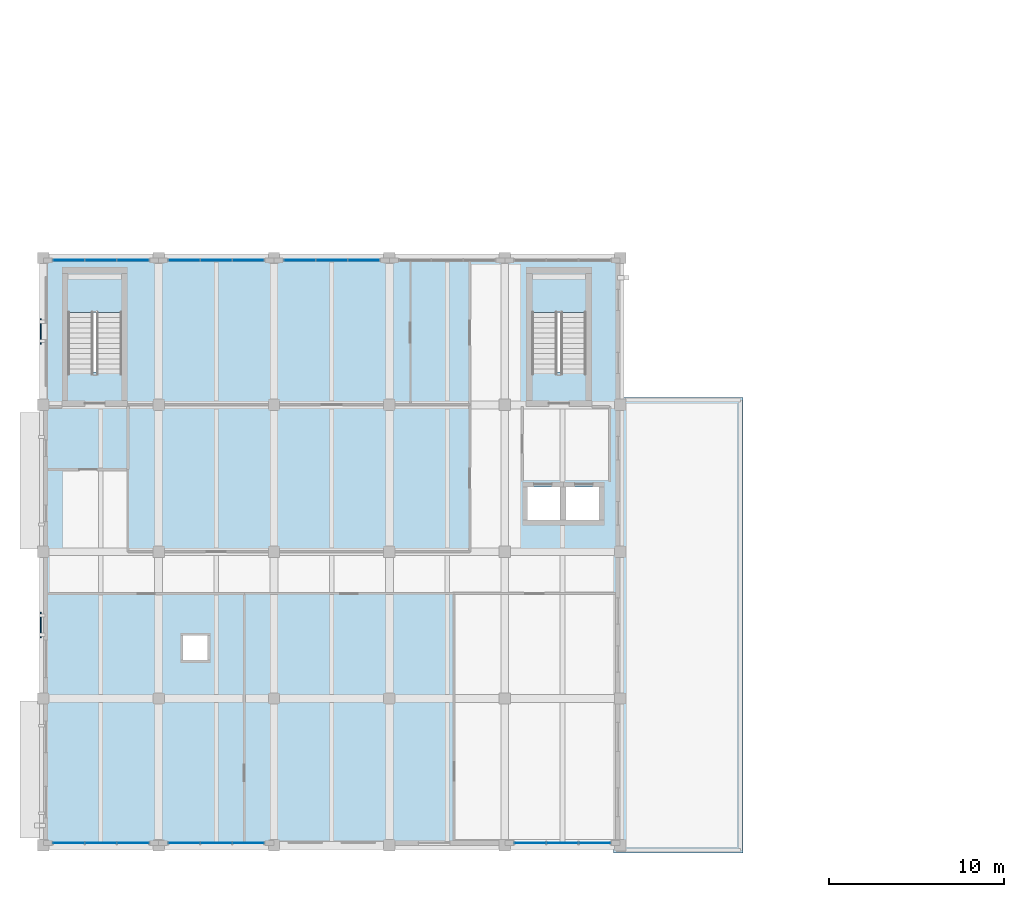
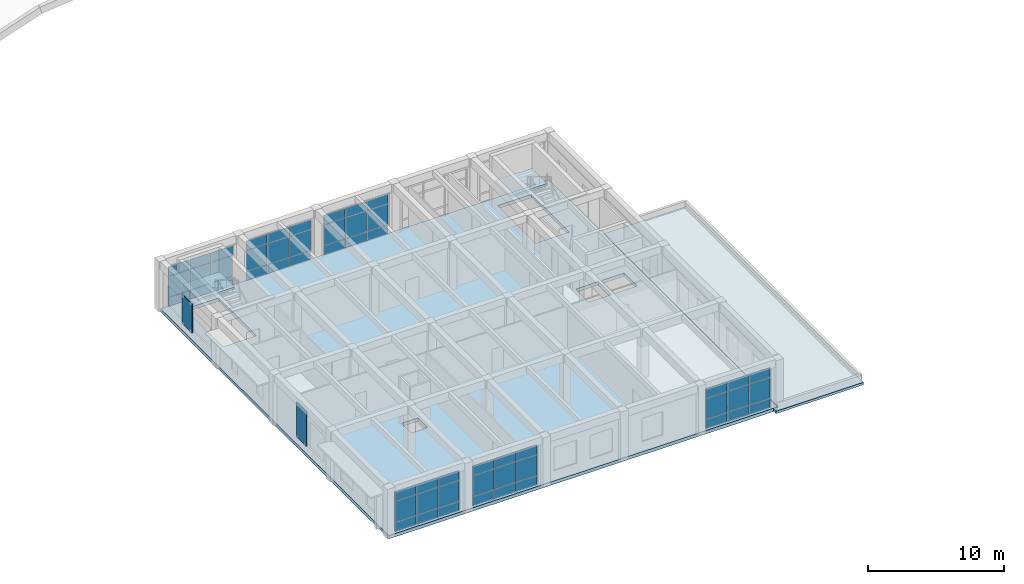
# One storey, part 19 of 50: 56 plates, 4 slabs, 8 elements without a shape of their own.
"""IFC4 building model written with IfcOpenShell, lengths in metres."""

from ifc_helpers import new_model, si_unit, direction, frame, origin, origin_2d, place, context, subcontext, project, spatial, polyline, rectangle, outline, extrude, material, layer, layer_set, type_object, element, aggregate, save


model = new_model("IFC4")

# Units and contexts
model_context = context("Model", 3, precision=1e-05, world=origin(), true_north=direction((0.0, 1.0)))
body_context = subcontext(model_context, "Body", "Model", "MODEL_VIEW")
ifc_project = project(units=[si_unit("LENGTHUNIT", "METRE"), si_unit("AREAUNIT", "SQUARE_METRE"), si_unit("VOLUMEUNIT", "CUBIC_METRE"), si_unit("PLANEANGLEUNIT", "RADIAN"), si_unit("MASSUNIT", "GRAM", prefix="KILO")], contexts=[model_context])

# Site, building, storey
site_placement = place(None, origin())
site = spatial("IfcSite", under=ifc_project, at=site_placement, CompositionType="ELEMENT")
building_placement = place(site_placement, origin())
building = spatial("IfcBuilding", under=site, at=building_placement, Name="Kolvaren Faculty of Natural Sciences", CompositionType="ELEMENT")
storey_placement = place(building_placement, frame((0.0, 0.0, 15.0)))
storey = spatial("IfcBuildingStorey", under=building, at=storey_placement, Name="L03", CompositionType="ELEMENT", Elevation=15.0)

# Curtain wall, plates
ifc_material_1 = material(Name="Thermally broken anodised aluminium framing", Category="aluminium")
ifc_layer_1 = layer(ifc_material_1, 0.179931640625)
ifc_layer_set_1 = layer_set([ifc_layer_1], Name="Thermally broken anodised aluminium framing")
curtain_wall_type = type_object("IfcCurtainWallType", Name="CommonsCurtainWall_CW02", PredefinedType="NOTDEFINED", material=ifc_layer_set_1)
curtain_wall_1_placement = place(storey_placement, origin())
curtain_wall_1 = element("IfcCurtainWall", 1, at=curtain_wall_1_placement, inside=storey, type_object=curtain_wall_type, Name="L03 unitised curtain wall CW-02 (CW-L03-133)", PredefinedType="NOTDEFINED")
ifc_material_2 = material(Name="Double low-E solar control insulated glazing", Category="glass")
ifc_layer_2 = layer(ifc_material_2, 0.035888671875)
ifc_layer_set_2 = layer_set([ifc_layer_2], Name="Double low-E solar control insulated glazing")
plate_type_1 = type_object("IfcPlateType", Name="EnvelopePlate_CWPGL1", PredefinedType="CURTAIN_PANEL", material=ifc_layer_set_2)
plate_1_placement = place(storey_placement, frame((8.2666015625, 42.06005859375, 0.919921875), z_axis=(0.0, 0.0, 1.0), x_axis=(1.0, 0.0, 0.0)))
plate_1 = element("IfcPlate", 2, at=plate_1_placement, type_object=plate_type_1, Name="CW-L03-133 panel 1 V1", PredefinedType="CURTAIN_PANEL", context=body_context, shape_type="SweptSolid", body=[
    extrude(rectangle(XDim=1.783203125, YDim=0.035888671875, at=origin_2d()), origin(), (0.0, 0.0, 1.0), 1.844970703125),
])
plate_2_placement = place(storey_placement, frame((10.10009765625, 42.06005859375, 0.919921875), z_axis=(0.0, 0.0, 1.0), x_axis=(1.0, 0.0, 0.0)))
plate_2 = element("IfcPlate", 3, at=plate_2_placement, type_object=plate_type_1, Name="CW-L03-133 panel 2 V1", PredefinedType="CURTAIN_PANEL", context=body_context, shape_type="SweptSolid", body=[
    extrude(rectangle(XDim=1.783203125, YDim=0.035888671875, at=origin_2d()), origin(), (0.0, 0.0, 1.0), 1.844970703125),
])
plate_3_placement = place(storey_placement, frame((11.933349609375, 42.06005859375, 0.919921875), z_axis=(0.0, 0.0, 1.0), x_axis=(1.0, 0.0, 0.0)))
plate_3 = element("IfcPlate", 4, at=plate_3_placement, type_object=plate_type_1, Name="CW-L03-133 panel 3 V1", PredefinedType="CURTAIN_PANEL", context=body_context, shape_type="SweptSolid", body=[
    extrude(rectangle(XDim=1.783203125, YDim=0.035888671875, at=origin_2d()), origin(), (0.0, 0.0, 1.0), 1.844970703125),
])

curtain_wall_2_placement = place(storey_placement, origin())
curtain_wall_2 = element("IfcCurtainWall", 5, at=curtain_wall_2_placement, inside=storey, type_object=curtain_wall_type, Name="L03 unitised curtain wall CW-02 (CW-L03-134)", PredefinedType="NOTDEFINED")
plate_4_placement = place(storey_placement, frame((14.86669921875, 42.06005859375, 0.919921875), z_axis=(0.0, 0.0, 1.0), x_axis=(1.0, 0.0, 0.0)))
plate_4 = element("IfcPlate", 6, at=plate_4_placement, type_object=plate_type_1, Name="CW-L03-134 panel 1 V1", PredefinedType="CURTAIN_PANEL", context=body_context, shape_type="SweptSolid", body=[
    extrude(rectangle(XDim=1.783203125, YDim=0.035888671875, at=origin_2d()), origin(), (0.0, 0.0, 1.0), 1.844970703125),
])
plate_5_placement = place(storey_placement, frame((16.699951171875, 42.06005859375, 0.919921875), z_axis=(0.0, 0.0, 1.0), x_axis=(1.0, 0.0, 0.0)))
plate_5 = element("IfcPlate", 7, at=plate_5_placement, type_object=plate_type_1, Name="CW-L03-134 panel 2 V1", PredefinedType="CURTAIN_PANEL", context=body_context, shape_type="SweptSolid", body=[
    extrude(rectangle(XDim=1.783203125, YDim=0.035888671875, at=origin_2d()), origin(), (0.0, 0.0, 1.0), 1.844970703125),
])
plate_6_placement = place(storey_placement, frame((18.533203125, 42.06005859375, 0.919921875), z_axis=(0.0, 0.0, 1.0), x_axis=(1.0, 0.0, 0.0)))
plate_6 = element("IfcPlate", 8, at=plate_6_placement, type_object=plate_type_1, Name="CW-L03-134 panel 3 V1", PredefinedType="CURTAIN_PANEL", context=body_context, shape_type="SweptSolid", body=[
    extrude(rectangle(XDim=1.783203125, YDim=0.035888671875, at=origin_2d()), origin(), (0.0, 0.0, 1.0), 1.844970703125),
])

curtain_wall_3_placement = place(storey_placement, origin())
curtain_wall_3 = element("IfcCurtainWall", 9, at=curtain_wall_3_placement, inside=storey, type_object=curtain_wall_type, Name="L03 unitised curtain wall CW-02 (CW-L03-135)", PredefinedType="NOTDEFINED")
plate_7_placement = place(storey_placement, frame((21.466796875, 42.06005859375, 0.919921875), z_axis=(0.0, 0.0, 1.0), x_axis=(1.0, 0.0, 0.0)))
plate_7 = element("IfcPlate", 10, at=plate_7_placement, type_object=plate_type_1, Name="CW-L03-135 panel 1 V1", PredefinedType="CURTAIN_PANEL", context=body_context, shape_type="SweptSolid", body=[
    extrude(rectangle(XDim=1.783203125, YDim=0.035888671875, at=origin_2d()), origin(), (0.0, 0.0, 1.0), 1.844970703125),
])
plate_8_placement = place(storey_placement, frame((23.300048828125, 42.06005859375, 0.919921875), z_axis=(0.0, 0.0, 1.0), x_axis=(1.0, 0.0, 0.0)))
plate_8 = element("IfcPlate", 11, at=plate_8_placement, type_object=plate_type_1, Name="CW-L03-135 panel 2 V1", PredefinedType="CURTAIN_PANEL", context=body_context, shape_type="SweptSolid", body=[
    extrude(rectangle(XDim=1.783203125, YDim=0.035888671875, at=origin_2d()), origin(), (0.0, 0.0, 1.0), 1.844970703125),
])
plate_9_placement = place(storey_placement, frame((25.13330078125, 42.06005859375, 0.919921875), z_axis=(0.0, 0.0, 1.0), x_axis=(1.0, 0.0, 0.0)))
plate_9 = element("IfcPlate", 12, at=plate_9_placement, type_object=plate_type_1, Name="CW-L03-135 panel 3 V1", PredefinedType="CURTAIN_PANEL", context=body_context, shape_type="SweptSolid", body=[
    extrude(rectangle(XDim=1.783203125, YDim=0.035888671875, at=origin_2d()), origin(), (0.0, 0.0, 1.0), 1.844970703125),
])

curtain_wall_4_placement = place(storey_placement, origin())
curtain_wall_4 = element("IfcCurtainWall", 13, at=curtain_wall_4_placement, inside=storey, type_object=curtain_wall_type, Name="L03 unitised curtain wall CW-02 (CW-L03-138)", PredefinedType="NOTDEFINED")
plate_10_placement = place(storey_placement, frame((38.333251953125, 8.739990234375, 0.919921875), z_axis=(0.0, 0.0, 1.0), x_axis=(-1.0, 0.0, 0.0)))
plate_10 = element("IfcPlate", 14, at=plate_10_placement, type_object=plate_type_1, Name="CW-L03-138 panel 1 V1", PredefinedType="CURTAIN_PANEL", context=body_context, shape_type="SweptSolid", body=[
    extrude(rectangle(XDim=1.783203125, YDim=0.035888671875, at=origin_2d()), origin(), (0.0, 0.0, 1.0), 1.844970703125),
])
plate_11_placement = place(storey_placement, frame((36.5, 8.739990234375, 0.919921875), z_axis=(0.0, 0.0, 1.0), x_axis=(-1.0, 0.0, 0.0)))
plate_11 = element("IfcPlate", 15, at=plate_11_placement, type_object=plate_type_1, Name="CW-L03-138 panel 2 V1", PredefinedType="CURTAIN_PANEL", context=body_context, shape_type="SweptSolid", body=[
    extrude(rectangle(XDim=1.783203125, YDim=0.035888671875, at=origin_2d()), origin(), (0.0, 0.0, 1.0), 1.844970703125),
])
plate_12_placement = place(storey_placement, frame((34.666748046875, 8.739990234375, 0.919921875), z_axis=(0.0, 0.0, 1.0), x_axis=(-1.0, 0.0, 0.0)))
plate_12 = element("IfcPlate", 16, at=plate_12_placement, type_object=plate_type_1, Name="CW-L03-138 panel 3 V1", PredefinedType="CURTAIN_PANEL", context=body_context, shape_type="SweptSolid", body=[
    extrude(rectangle(XDim=1.783203125, YDim=0.035888671875, at=origin_2d()), origin(), (0.0, 0.0, 1.0), 1.844970703125),
])

curtain_wall_5_placement = place(storey_placement, origin())
curtain_wall_5 = element("IfcCurtainWall", 17, at=curtain_wall_5_placement, inside=storey, type_object=curtain_wall_type, Name="L03 unitised curtain wall CW-02 (CW-L03-139)", PredefinedType="NOTDEFINED")
plate_13_placement = place(storey_placement, frame((18.533203125, 8.739990234375, 0.919921875), z_axis=(0.0, 0.0, 1.0), x_axis=(-1.0, 0.0, 0.0)))
plate_13 = element("IfcPlate", 18, at=plate_13_placement, type_object=plate_type_1, Name="CW-L03-139 panel 1 V1", PredefinedType="CURTAIN_PANEL", context=body_context, shape_type="SweptSolid", body=[
    extrude(rectangle(XDim=1.783203125, YDim=0.035888671875, at=origin_2d()), origin(), (0.0, 0.0, 1.0), 1.844970703125),
])
plate_14_placement = place(storey_placement, frame((16.699951171875, 8.739990234375, 0.919921875), z_axis=(0.0, 0.0, 1.0), x_axis=(-1.0, 0.0, 0.0)))
plate_14 = element("IfcPlate", 19, at=plate_14_placement, type_object=plate_type_1, Name="CW-L03-139 panel 2 V1", PredefinedType="CURTAIN_PANEL", context=body_context, shape_type="SweptSolid", body=[
    extrude(rectangle(XDim=1.783203125, YDim=0.035888671875, at=origin_2d()), origin(), (0.0, 0.0, 1.0), 1.844970703125),
])
plate_15_placement = place(storey_placement, frame((14.86669921875, 8.739990234375, 0.919921875), z_axis=(0.0, 0.0, 1.0), x_axis=(-1.0, 0.0, 0.0)))
plate_15 = element("IfcPlate", 20, at=plate_15_placement, type_object=plate_type_1, Name="CW-L03-139 panel 3 V1", PredefinedType="CURTAIN_PANEL", context=body_context, shape_type="SweptSolid", body=[
    extrude(rectangle(XDim=1.783203125, YDim=0.035888671875, at=origin_2d()), origin(), (0.0, 0.0, 1.0), 1.844970703125),
])

curtain_wall_6_placement = place(storey_placement, origin())
curtain_wall_6 = element("IfcCurtainWall", 21, at=curtain_wall_6_placement, inside=storey, type_object=curtain_wall_type, Name="L03 unitised curtain wall CW-02 (CW-L03-140)", PredefinedType="NOTDEFINED")
plate_16_placement = place(storey_placement, frame((11.933349609375, 8.739990234375, 0.919921875), z_axis=(0.0, 0.0, 1.0), x_axis=(-1.0, 0.0, 0.0)))
plate_16 = element("IfcPlate", 22, at=plate_16_placement, type_object=plate_type_1, Name="CW-L03-140 panel 1 V1", PredefinedType="CURTAIN_PANEL", context=body_context, shape_type="SweptSolid", body=[
    extrude(rectangle(XDim=1.783203125, YDim=0.035888671875, at=origin_2d()), origin(), (0.0, 0.0, 1.0), 1.844970703125),
])
plate_17_placement = place(storey_placement, frame((10.10009765625, 8.739990234375, 0.919921875), z_axis=(0.0, 0.0, 1.0), x_axis=(-1.0, 0.0, 0.0)))
plate_17 = element("IfcPlate", 23, at=plate_17_placement, type_object=plate_type_1, Name="CW-L03-140 panel 2 V1", PredefinedType="CURTAIN_PANEL", context=body_context, shape_type="SweptSolid", body=[
    extrude(rectangle(XDim=1.783203125, YDim=0.035888671875, at=origin_2d()), origin(), (0.0, 0.0, 1.0), 1.844970703125),
])
plate_18_placement = place(storey_placement, frame((8.2666015625, 8.739990234375, 0.919921875), z_axis=(0.0, 0.0, 1.0), x_axis=(-1.0, 0.0, 0.0)))
plate_18 = element("IfcPlate", 24, at=plate_18_placement, type_object=plate_type_1, Name="CW-L03-140 panel 3 V1", PredefinedType="CURTAIN_PANEL", context=body_context, shape_type="SweptSolid", body=[
    extrude(rectangle(XDim=1.783203125, YDim=0.035888671875, at=origin_2d()), origin(), (0.0, 0.0, 1.0), 1.844970703125),
])

# Plate
ifc_layer_3 = layer(ifc_material_2, 0.035888671875)
ifc_layer_set_3 = layer_set([ifc_layer_3], Name="Double low-E solar control insulated glazing")
plate_type_2 = type_object("IfcPlateType", Name="EnvelopePlate_CWPGL2", PredefinedType="CURTAIN_PANEL", material=ifc_layer_set_3)
plate_19_placement = place(storey_placement, frame((8.2666015625, 42.06005859375, 2.804931640625), z_axis=(0.0, 0.0, 1.0), x_axis=(1.0, 0.0, 0.0)))
plate_19 = element("IfcPlate", 25, at=plate_19_placement, type_object=plate_type_2, Name="CW-L03-133 panel 1 V2", PredefinedType="CURTAIN_PANEL", context=body_context, shape_type="SweptSolid", body=[
    extrude(rectangle(XDim=1.783203125, YDim=0.035888671875, at=origin_2d()), origin(), (0.0, 0.0, 1.0), 0.830078125),
])

plate_20_placement = place(storey_placement, frame((10.10009765625, 42.06005859375, 2.804931640625), z_axis=(0.0, 0.0, 1.0), x_axis=(1.0, 0.0, 0.0)))
plate_20 = element("IfcPlate", 26, at=plate_20_placement, type_object=plate_type_2, Name="CW-L03-133 panel 2 V2", PredefinedType="CURTAIN_PANEL", context=body_context, shape_type="SweptSolid", body=[
    extrude(rectangle(XDim=1.783203125, YDim=0.035888671875, at=origin_2d()), origin(), (0.0, 0.0, 1.0), 0.830078125),
])

plate_21_placement = place(storey_placement, frame((11.933349609375, 42.06005859375, 2.804931640625), z_axis=(0.0, 0.0, 1.0), x_axis=(1.0, 0.0, 0.0)))
plate_21 = element("IfcPlate", 27, at=plate_21_placement, type_object=plate_type_2, Name="CW-L03-133 panel 3 V2", PredefinedType="CURTAIN_PANEL", context=body_context, shape_type="SweptSolid", body=[
    extrude(rectangle(XDim=1.783203125, YDim=0.035888671875, at=origin_2d()), origin(), (0.0, 0.0, 1.0), 0.830078125),
])

plate_22_placement = place(storey_placement, frame((14.86669921875, 42.06005859375, 2.804931640625), z_axis=(0.0, 0.0, 1.0), x_axis=(1.0, 0.0, 0.0)))
plate_22 = element("IfcPlate", 28, at=plate_22_placement, type_object=plate_type_2, Name="CW-L03-134 panel 1 V2", PredefinedType="CURTAIN_PANEL", context=body_context, shape_type="SweptSolid", body=[
    extrude(rectangle(XDim=1.783203125, YDim=0.035888671875, at=origin_2d()), origin(), (0.0, 0.0, 1.0), 0.830078125),
])

plate_23_placement = place(storey_placement, frame((16.699951171875, 42.06005859375, 2.804931640625), z_axis=(0.0, 0.0, 1.0), x_axis=(1.0, 0.0, 0.0)))
plate_23 = element("IfcPlate", 29, at=plate_23_placement, type_object=plate_type_2, Name="CW-L03-134 panel 2 V2", PredefinedType="CURTAIN_PANEL", context=body_context, shape_type="SweptSolid", body=[
    extrude(rectangle(XDim=1.783203125, YDim=0.035888671875, at=origin_2d()), origin(), (0.0, 0.0, 1.0), 0.830078125),
])

plate_24_placement = place(storey_placement, frame((18.533203125, 42.06005859375, 2.804931640625), z_axis=(0.0, 0.0, 1.0), x_axis=(1.0, 0.0, 0.0)))
plate_24 = element("IfcPlate", 30, at=plate_24_placement, type_object=plate_type_2, Name="CW-L03-134 panel 3 V2", PredefinedType="CURTAIN_PANEL", context=body_context, shape_type="SweptSolid", body=[
    extrude(rectangle(XDim=1.783203125, YDim=0.035888671875, at=origin_2d()), origin(), (0.0, 0.0, 1.0), 0.830078125),
])

plate_25_placement = place(storey_placement, frame((21.466796875, 42.06005859375, 2.804931640625), z_axis=(0.0, 0.0, 1.0), x_axis=(1.0, 0.0, 0.0)))
plate_25 = element("IfcPlate", 31, at=plate_25_placement, type_object=plate_type_2, Name="CW-L03-135 panel 1 V2", PredefinedType="CURTAIN_PANEL", context=body_context, shape_type="SweptSolid", body=[
    extrude(rectangle(XDim=1.783203125, YDim=0.035888671875, at=origin_2d()), origin(), (0.0, 0.0, 1.0), 0.830078125),
])

plate_26_placement = place(storey_placement, frame((23.300048828125, 42.06005859375, 2.804931640625), z_axis=(0.0, 0.0, 1.0), x_axis=(1.0, 0.0, 0.0)))
plate_26 = element("IfcPlate", 32, at=plate_26_placement, type_object=plate_type_2, Name="CW-L03-135 panel 2 V2", PredefinedType="CURTAIN_PANEL", context=body_context, shape_type="SweptSolid", body=[
    extrude(rectangle(XDim=1.783203125, YDim=0.035888671875, at=origin_2d()), origin(), (0.0, 0.0, 1.0), 0.830078125),
])

plate_27_placement = place(storey_placement, frame((25.13330078125, 42.06005859375, 2.804931640625), z_axis=(0.0, 0.0, 1.0), x_axis=(1.0, 0.0, 0.0)))
plate_27 = element("IfcPlate", 33, at=plate_27_placement, type_object=plate_type_2, Name="CW-L03-135 panel 3 V2", PredefinedType="CURTAIN_PANEL", context=body_context, shape_type="SweptSolid", body=[
    extrude(rectangle(XDim=1.783203125, YDim=0.035888671875, at=origin_2d()), origin(), (0.0, 0.0, 1.0), 0.830078125),
])

plate_28_placement = place(storey_placement, frame((38.333251953125, 8.739990234375, 2.804931640625), z_axis=(0.0, 0.0, 1.0), x_axis=(-1.0, 0.0, 0.0)))
plate_28 = element("IfcPlate", 34, at=plate_28_placement, type_object=plate_type_2, Name="CW-L03-138 panel 1 V2", PredefinedType="CURTAIN_PANEL", context=body_context, shape_type="SweptSolid", body=[
    extrude(rectangle(XDim=1.783203125, YDim=0.035888671875, at=origin_2d()), origin(), (0.0, 0.0, 1.0), 0.830078125),
])

plate_29_placement = place(storey_placement, frame((36.5, 8.739990234375, 2.804931640625), z_axis=(0.0, 0.0, 1.0), x_axis=(-1.0, 0.0, 0.0)))
plate_29 = element("IfcPlate", 35, at=plate_29_placement, type_object=plate_type_2, Name="CW-L03-138 panel 2 V2", PredefinedType="CURTAIN_PANEL", context=body_context, shape_type="SweptSolid", body=[
    extrude(rectangle(XDim=1.783203125, YDim=0.035888671875, at=origin_2d()), origin(), (0.0, 0.0, 1.0), 0.830078125),
])

plate_30_placement = place(storey_placement, frame((34.666748046875, 8.739990234375, 2.804931640625), z_axis=(0.0, 0.0, 1.0), x_axis=(-1.0, 0.0, 0.0)))
plate_30 = element("IfcPlate", 36, at=plate_30_placement, type_object=plate_type_2, Name="CW-L03-138 panel 3 V2", PredefinedType="CURTAIN_PANEL", context=body_context, shape_type="SweptSolid", body=[
    extrude(rectangle(XDim=1.783203125, YDim=0.035888671875, at=origin_2d()), origin(), (0.0, 0.0, 1.0), 0.830078125),
])

plate_31_placement = place(storey_placement, frame((18.533203125, 8.739990234375, 2.804931640625), z_axis=(0.0, 0.0, 1.0), x_axis=(-1.0, 0.0, 0.0)))
plate_31 = element("IfcPlate", 37, at=plate_31_placement, type_object=plate_type_2, Name="CW-L03-139 panel 1 V2", PredefinedType="CURTAIN_PANEL", context=body_context, shape_type="SweptSolid", body=[
    extrude(rectangle(XDim=1.783203125, YDim=0.035888671875, at=origin_2d()), origin(), (0.0, 0.0, 1.0), 0.830078125),
])

plate_32_placement = place(storey_placement, frame((16.699951171875, 8.739990234375, 2.804931640625), z_axis=(0.0, 0.0, 1.0), x_axis=(-1.0, 0.0, 0.0)))
plate_32 = element("IfcPlate", 38, at=plate_32_placement, type_object=plate_type_2, Name="CW-L03-139 panel 2 V2", PredefinedType="CURTAIN_PANEL", context=body_context, shape_type="SweptSolid", body=[
    extrude(rectangle(XDim=1.783203125, YDim=0.035888671875, at=origin_2d()), origin(), (0.0, 0.0, 1.0), 0.830078125),
])

plate_33_placement = place(storey_placement, frame((14.86669921875, 8.739990234375, 2.804931640625), z_axis=(0.0, 0.0, 1.0), x_axis=(-1.0, 0.0, 0.0)))
plate_33 = element("IfcPlate", 39, at=plate_33_placement, type_object=plate_type_2, Name="CW-L03-139 panel 3 V2", PredefinedType="CURTAIN_PANEL", context=body_context, shape_type="SweptSolid", body=[
    extrude(rectangle(XDim=1.783203125, YDim=0.035888671875, at=origin_2d()), origin(), (0.0, 0.0, 1.0), 0.830078125),
])

plate_34_placement = place(storey_placement, frame((11.933349609375, 8.739990234375, 2.804931640625), z_axis=(0.0, 0.0, 1.0), x_axis=(-1.0, 0.0, 0.0)))
plate_34 = element("IfcPlate", 40, at=plate_34_placement, type_object=plate_type_2, Name="CW-L03-140 panel 1 V2", PredefinedType="CURTAIN_PANEL", context=body_context, shape_type="SweptSolid", body=[
    extrude(rectangle(XDim=1.783203125, YDim=0.035888671875, at=origin_2d()), origin(), (0.0, 0.0, 1.0), 0.830078125),
])

plate_35_placement = place(storey_placement, frame((10.10009765625, 8.739990234375, 2.804931640625), z_axis=(0.0, 0.0, 1.0), x_axis=(-1.0, 0.0, 0.0)))
plate_35 = element("IfcPlate", 41, at=plate_35_placement, type_object=plate_type_2, Name="CW-L03-140 panel 2 V2", PredefinedType="CURTAIN_PANEL", context=body_context, shape_type="SweptSolid", body=[
    extrude(rectangle(XDim=1.783203125, YDim=0.035888671875, at=origin_2d()), origin(), (0.0, 0.0, 1.0), 0.830078125),
])

plate_36_placement = place(storey_placement, frame((8.2666015625, 8.739990234375, 2.804931640625), z_axis=(0.0, 0.0, 1.0), x_axis=(-1.0, 0.0, 0.0)))
plate_36 = element("IfcPlate", 42, at=plate_36_placement, type_object=plate_type_2, Name="CW-L03-140 panel 3 V2", PredefinedType="CURTAIN_PANEL", context=body_context, shape_type="SweptSolid", body=[
    extrude(rectangle(XDim=1.783203125, YDim=0.035888671875, at=origin_2d()), origin(), (0.0, 0.0, 1.0), 0.830078125),
])

ifc_material_3 = material(Name="Insulated anodised aluminium spandrel panel", Category="aluminium")
ifc_layer_4 = layer(ifc_material_3, 0.050048828125)
ifc_layer_set_4 = layer_set([ifc_layer_4], Name="Insulated anodised aluminium spandrel panel")
plate_type_3 = type_object("IfcPlateType", Name="EnvelopePlate_CWPSP1", PredefinedType="SHEET", material=ifc_layer_set_4)
plate_37_placement = place(storey_placement, frame((8.2666015625, 42.06005859375, 0.10009765625), z_axis=(0.0, 0.0, 1.0), x_axis=(1.0, 0.0, 0.0)))
plate_37 = element("IfcPlate", 43, at=plate_37_placement, type_object=plate_type_3, Name="CW-L03-133 panel 1 SP", PredefinedType="SHEET", context=body_context, shape_type="SweptSolid", body=[
    extrude(rectangle(XDim=1.783203125, YDim=0.050048828125, at=origin_2d()), origin(), (0.0, 0.0, 1.0), 0.780029296875),
])

plate_38_placement = place(storey_placement, frame((10.10009765625, 42.06005859375, 0.10009765625), z_axis=(0.0, 0.0, 1.0), x_axis=(1.0, 0.0, 0.0)))
plate_38 = element("IfcPlate", 44, at=plate_38_placement, type_object=plate_type_3, Name="CW-L03-133 panel 2 SP", PredefinedType="SHEET", context=body_context, shape_type="SweptSolid", body=[
    extrude(rectangle(XDim=1.783203125, YDim=0.050048828125, at=origin_2d()), origin(), (0.0, 0.0, 1.0), 0.780029296875),
])

plate_39_placement = place(storey_placement, frame((11.933349609375, 42.06005859375, 0.10009765625), z_axis=(0.0, 0.0, 1.0), x_axis=(1.0, 0.0, 0.0)))
plate_39 = element("IfcPlate", 45, at=plate_39_placement, type_object=plate_type_3, Name="CW-L03-133 panel 3 SP", PredefinedType="SHEET", context=body_context, shape_type="SweptSolid", body=[
    extrude(rectangle(XDim=1.783203125, YDim=0.050048828125, at=origin_2d()), origin(), (0.0, 0.0, 1.0), 0.780029296875),
])

aggregate(curtain_wall_1, [plate_37, plate_1, plate_19, plate_38, plate_2, plate_20, plate_39, plate_3, plate_21])

plate_40_placement = place(storey_placement, frame((14.86669921875, 42.06005859375, 0.10009765625), z_axis=(0.0, 0.0, 1.0), x_axis=(1.0, 0.0, 0.0)))
plate_40 = element("IfcPlate", 46, at=plate_40_placement, type_object=plate_type_3, Name="CW-L03-134 panel 1 SP", PredefinedType="SHEET", context=body_context, shape_type="SweptSolid", body=[
    extrude(rectangle(XDim=1.783203125, YDim=0.050048828125, at=origin_2d()), origin(), (0.0, 0.0, 1.0), 0.780029296875),
])

plate_41_placement = place(storey_placement, frame((16.699951171875, 42.06005859375, 0.10009765625), z_axis=(0.0, 0.0, 1.0), x_axis=(1.0, 0.0, 0.0)))
plate_41 = element("IfcPlate", 47, at=plate_41_placement, type_object=plate_type_3, Name="CW-L03-134 panel 2 SP", PredefinedType="SHEET", context=body_context, shape_type="SweptSolid", body=[
    extrude(rectangle(XDim=1.783203125, YDim=0.050048828125, at=origin_2d()), origin(), (0.0, 0.0, 1.0), 0.780029296875),
])

plate_42_placement = place(storey_placement, frame((18.533203125, 42.06005859375, 0.10009765625), z_axis=(0.0, 0.0, 1.0), x_axis=(1.0, 0.0, 0.0)))
plate_42 = element("IfcPlate", 48, at=plate_42_placement, type_object=plate_type_3, Name="CW-L03-134 panel 3 SP", PredefinedType="SHEET", context=body_context, shape_type="SweptSolid", body=[
    extrude(rectangle(XDim=1.783203125, YDim=0.050048828125, at=origin_2d()), origin(), (0.0, 0.0, 1.0), 0.780029296875),
])

aggregate(curtain_wall_2, [plate_40, plate_4, plate_22, plate_41, plate_5, plate_23, plate_42, plate_6, plate_24])

plate_43_placement = place(storey_placement, frame((21.466796875, 42.06005859375, 0.10009765625), z_axis=(0.0, 0.0, 1.0), x_axis=(1.0, 0.0, 0.0)))
plate_43 = element("IfcPlate", 49, at=plate_43_placement, type_object=plate_type_3, Name="CW-L03-135 panel 1 SP", PredefinedType="SHEET", context=body_context, shape_type="SweptSolid", body=[
    extrude(rectangle(XDim=1.783203125, YDim=0.050048828125, at=origin_2d()), origin(), (0.0, 0.0, 1.0), 0.780029296875),
])

plate_44_placement = place(storey_placement, frame((23.300048828125, 42.06005859375, 0.10009765625), z_axis=(0.0, 0.0, 1.0), x_axis=(1.0, 0.0, 0.0)))
plate_44 = element("IfcPlate", 50, at=plate_44_placement, type_object=plate_type_3, Name="CW-L03-135 panel 2 SP", PredefinedType="SHEET", context=body_context, shape_type="SweptSolid", body=[
    extrude(rectangle(XDim=1.783203125, YDim=0.050048828125, at=origin_2d()), origin(), (0.0, 0.0, 1.0), 0.780029296875),
])

plate_45_placement = place(storey_placement, frame((25.13330078125, 42.06005859375, 0.10009765625), z_axis=(0.0, 0.0, 1.0), x_axis=(1.0, 0.0, 0.0)))
plate_45 = element("IfcPlate", 51, at=plate_45_placement, type_object=plate_type_3, Name="CW-L03-135 panel 3 SP", PredefinedType="SHEET", context=body_context, shape_type="SweptSolid", body=[
    extrude(rectangle(XDim=1.783203125, YDim=0.050048828125, at=origin_2d()), origin(), (0.0, 0.0, 1.0), 0.780029296875),
])

aggregate(curtain_wall_3, [plate_43, plate_7, plate_25, plate_44, plate_8, plate_26, plate_45, plate_9, plate_27])

plate_46_placement = place(storey_placement, frame((38.333251953125, 8.739990234375, 0.10009765625), z_axis=(0.0, 0.0, 1.0), x_axis=(-1.0, 0.0, 0.0)))
plate_46 = element("IfcPlate", 52, at=plate_46_placement, type_object=plate_type_3, Name="CW-L03-138 panel 1 SP", PredefinedType="SHEET", context=body_context, shape_type="SweptSolid", body=[
    extrude(rectangle(XDim=1.783203125, YDim=0.050048828125, at=origin_2d()), origin(), (0.0, 0.0, 1.0), 0.780029296875),
])

plate_47_placement = place(storey_placement, frame((36.5, 8.739990234375, 0.10009765625), z_axis=(0.0, 0.0, 1.0), x_axis=(-1.0, 0.0, 0.0)))
plate_47 = element("IfcPlate", 53, at=plate_47_placement, type_object=plate_type_3, Name="CW-L03-138 panel 2 SP", PredefinedType="SHEET", context=body_context, shape_type="SweptSolid", body=[
    extrude(rectangle(XDim=1.783203125, YDim=0.050048828125, at=origin_2d()), origin(), (0.0, 0.0, 1.0), 0.780029296875),
])

plate_48_placement = place(storey_placement, frame((34.666748046875, 8.739990234375, 0.10009765625), z_axis=(0.0, 0.0, 1.0), x_axis=(-1.0, 0.0, 0.0)))
plate_48 = element("IfcPlate", 54, at=plate_48_placement, type_object=plate_type_3, Name="CW-L03-138 panel 3 SP", PredefinedType="SHEET", context=body_context, shape_type="SweptSolid", body=[
    extrude(rectangle(XDim=1.783203125, YDim=0.050048828125, at=origin_2d()), origin(), (0.0, 0.0, 1.0), 0.780029296875),
])

aggregate(curtain_wall_4, [plate_46, plate_10, plate_28, plate_47, plate_11, plate_29, plate_48, plate_12, plate_30])

plate_49_placement = place(storey_placement, frame((18.533203125, 8.739990234375, 0.10009765625), z_axis=(0.0, 0.0, 1.0), x_axis=(-1.0, 0.0, 0.0)))
plate_49 = element("IfcPlate", 55, at=plate_49_placement, type_object=plate_type_3, Name="CW-L03-139 panel 1 SP", PredefinedType="SHEET", context=body_context, shape_type="SweptSolid", body=[
    extrude(rectangle(XDim=1.783203125, YDim=0.050048828125, at=origin_2d()), origin(), (0.0, 0.0, 1.0), 0.780029296875),
])

plate_50_placement = place(storey_placement, frame((16.699951171875, 8.739990234375, 0.10009765625), z_axis=(0.0, 0.0, 1.0), x_axis=(-1.0, 0.0, 0.0)))
plate_50 = element("IfcPlate", 56, at=plate_50_placement, type_object=plate_type_3, Name="CW-L03-139 panel 2 SP", PredefinedType="SHEET", context=body_context, shape_type="SweptSolid", body=[
    extrude(rectangle(XDim=1.783203125, YDim=0.050048828125, at=origin_2d()), origin(), (0.0, 0.0, 1.0), 0.780029296875),
])

plate_51_placement = place(storey_placement, frame((14.86669921875, 8.739990234375, 0.10009765625), z_axis=(0.0, 0.0, 1.0), x_axis=(-1.0, 0.0, 0.0)))
plate_51 = element("IfcPlate", 57, at=plate_51_placement, type_object=plate_type_3, Name="CW-L03-139 panel 3 SP", PredefinedType="SHEET", context=body_context, shape_type="SweptSolid", body=[
    extrude(rectangle(XDim=1.783203125, YDim=0.050048828125, at=origin_2d()), origin(), (0.0, 0.0, 1.0), 0.780029296875),
])

aggregate(curtain_wall_5, [plate_49, plate_13, plate_31, plate_50, plate_14, plate_32, plate_51, plate_15, plate_33])

plate_52_placement = place(storey_placement, frame((11.933349609375, 8.739990234375, 0.10009765625), z_axis=(0.0, 0.0, 1.0), x_axis=(-1.0, 0.0, 0.0)))
plate_52 = element("IfcPlate", 58, at=plate_52_placement, type_object=plate_type_3, Name="CW-L03-140 panel 1 SP", PredefinedType="SHEET", context=body_context, shape_type="SweptSolid", body=[
    extrude(rectangle(XDim=1.783203125, YDim=0.050048828125, at=origin_2d()), origin(), (0.0, 0.0, 1.0), 0.780029296875),
])

plate_53_placement = place(storey_placement, frame((10.10009765625, 8.739990234375, 0.10009765625), z_axis=(0.0, 0.0, 1.0), x_axis=(-1.0, 0.0, 0.0)))
plate_53 = element("IfcPlate", 59, at=plate_53_placement, type_object=plate_type_3, Name="CW-L03-140 panel 2 SP", PredefinedType="SHEET", context=body_context, shape_type="SweptSolid", body=[
    extrude(rectangle(XDim=1.783203125, YDim=0.050048828125, at=origin_2d()), origin(), (0.0, 0.0, 1.0), 0.780029296875),
])

plate_54_placement = place(storey_placement, frame((8.2666015625, 8.739990234375, 0.10009765625), z_axis=(0.0, 0.0, 1.0), x_axis=(-1.0, 0.0, 0.0)))
plate_54 = element("IfcPlate", 60, at=plate_54_placement, type_object=plate_type_3, Name="CW-L03-140 panel 3 SP", PredefinedType="SHEET", context=body_context, shape_type="SweptSolid", body=[
    extrude(rectangle(XDim=1.783203125, YDim=0.050048828125, at=origin_2d()), origin(), (0.0, 0.0, 1.0), 0.780029296875),
])

aggregate(curtain_wall_6, [plate_52, plate_16, plate_34, plate_53, plate_17, plate_35, plate_54, plate_18, plate_36])

# Plates
ifc_material_4 = material(Name="Extruded architectural terracotta screen", Category="masonry")
ifc_layer_5 = layer(ifc_material_4, 0.06494140625)
ifc_layer_set_5 = layer_set([ifc_layer_5], Name="Extruded architectural terracotta screen")
plate_type_4 = type_object("IfcPlateType", Name="EnvelopePlate_JL01", PredefinedType="USERDEFINED", material=ifc_layer_set_5)
plate_55_placement = place(storey_placement, frame((6.659912109375, 38.0, 0.849853515625), z_axis=(0.0, 0.0, 1.0), x_axis=(0.0, 1.0, 0.0)))
element("IfcPlate", 61, at=plate_55_placement, inside=storey, type_object=plate_type_4, Name="L03 perforated terracotta jali sun screen JL-01", ObjectType="SCREEN", PredefinedType="USERDEFINED", context=body_context, shape_type="SweptSolid", body=[
    extrude(rectangle(XDim=1.449951171875, YDim=0.06494140625, at=origin_2d()), origin(), (0.0, 0.0, 1.0), 2.60009765625),
])
ifc_layer_6 = layer(ifc_material_4, 0.06494140625)
ifc_layer_set_6 = layer_set([ifc_layer_6], Name="Extruded architectural terracotta screen")
plate_type_5 = type_object("IfcPlateType", Name="EnvelopePlate_JL03", PredefinedType="USERDEFINED", material=ifc_layer_set_6)
plate_56_placement = place(storey_placement, frame((6.659912109375, 21.199951171875, 0.849853515625), z_axis=(0.0, 0.0, 1.0), x_axis=(0.0, 1.0, 0.0)))
element("IfcPlate", 62, at=plate_56_placement, inside=storey, type_object=plate_type_5, Name="L03 perforated terracotta jali sun screen JL-03", ObjectType="SCREEN", PredefinedType="USERDEFINED", context=body_context, shape_type="SweptSolid", body=[
    extrude(rectangle(XDim=1.449951171875, YDim=0.06494140625, at=origin_2d()), origin(), (0.0, 0.0, 1.0), 3.10009765625),
])

# Slabs
ifc_material_5 = material(Name="Concrete C35/45", Category="concrete")
ifc_layer_7 = layer(ifc_material_5, 0.219970703125)
ifc_layer_set_7 = layer_set([ifc_layer_7], Name="Concrete C35/45")
slab_type_1 = type_object("IfcSlabType", Name="FlatWingRoofSlab_220", PredefinedType="ROOF", material=ifc_layer_set_7)
slab_1_placement = place(storey_placement, frame((0.0, 0.0, -0.219970703125)))
element("IfcSlab", 63, at=slab_1_placement, inside=storey, type_object=slab_type_1, Name="L03 flat reinforced concrete roof slab 2", PredefinedType="ROOF", context=body_context, shape_type="SweptSolid", body=[
    extrude(outline(polyline([(39.800048828125, 8.580078125), (39.802001953125, 8.580078125), (39.803955078125, 8.580322265625), (39.805908203125, 8.580810546875), (39.8076171875, 8.58154296875), (39.809326171875, 8.58251953125), (39.81103515625, 8.58349609375), (39.812744140625, 8.58447265625), (39.814208984375, 8.5859375), (39.8154296875, 8.58740234375), (39.816650390625, 8.5888671875), (39.817626953125, 8.590576171875), (39.818603515625, 8.59228515625), (39.819091796875, 8.59423828125), (39.819580078125, 8.59619140625), (39.81982421875, 8.597900390625), (39.820068359375, 8.60009765625), (39.820068359375, 34.22998046875), (46.830078125, 34.22998046875), (46.830078125, 8.169921875), (39.419921875, 8.169921875), (39.419921875, 8.580078125), (39.800048828125, 8.580078125)])), origin(), (0.0, 0.0, 1.0), 0.219970703125),
])
ifc_layer_8 = layer(ifc_material_5, 0.300048828125)
ifc_layer_set_8 = layer_set([ifc_layer_8], Name="Concrete C35/45")
slab_type_2 = type_object("IfcSlabType", Name="LabFloorSlab_300", PredefinedType="FLOOR", material=ifc_layer_set_8)
slab_2_placement = place(storey_placement, frame((0.0, 0.0, -0.300048828125)))
element("IfcSlab", 64, at=slab_2_placement, inside=storey, type_object=slab_type_2, Name="L03 V4 structural slab 1", PredefinedType="FLOOR", context=body_context, shape_type="SweptSolid", body=[
    extrude(outline(polyline([(6.800048828125, 8.60009765625), (6.800048828125, 33.800048828125), (6.800048828125, 42.199951171875), (39.800048828125, 42.199951171875), (39.800048828125, 33.800048828125), (39.800048828125, 8.60009765625), (6.800048828125, 8.60009765625)]), holes=[polyline([(38.60009765625, 29.10009765625), (36.699951171875, 29.10009765625), (36.699951171875, 27.199951171875), (38.60009765625, 27.199951171875), (38.60009765625, 29.10009765625)]), polyline([(37.72998046875, 41.22998046875), (34.8701171875, 41.22998046875), (34.8701171875, 35.669921875), (37.72998046875, 35.669921875), (37.72998046875, 41.22998046875)]), polyline([(36.39990234375, 29.10009765625), (34.5, 29.10009765625), (34.5, 27.199951171875), (36.39990234375, 27.199951171875), (36.39990234375, 29.10009765625)]), polyline([(16.199951171875, 20.60009765625), (14.800048828125, 20.60009765625), (14.800048828125, 19.199951171875), (16.199951171875, 19.199951171875), (16.199951171875, 20.60009765625)]), polyline([(11.179931640625, 41.22998046875), (8.320068359375, 41.22998046875), (8.320068359375, 35.669921875), (11.179931640625, 35.669921875), (11.179931640625, 41.22998046875)])]), origin(), (0.0, 0.0, 1.0), 0.300048828125),
])

# Stair, slab
stair_type = type_object("IfcStairType", Name="DoglegStair_H4500", PredefinedType="HALF_TURN_STAIR", material=ifc_material_5)
stair_1_placement = place(storey_placement, origin())
stair_1 = element("IfcStair", 65, at=stair_1_placement, inside=storey, type_object=stair_type, Name="L03 Protected exit stair ST-4", PredefinedType="HALF_TURN_STAIR")
ifc_layer_9 = layer(ifc_material_5, 0.199951171875)
ifc_layer_set_9 = layer_set([ifc_layer_9], Name="Concrete C35/45")
slab_type_3 = type_object("IfcSlabType", Name="StairLandingSlab_200", PredefinedType="LANDING", material=ifc_layer_set_9)
slab_3_placement = place(storey_placement, frame((0.0, 0.0, 2.050048828125)))
slab_3 = element("IfcSlab", 66, at=slab_3_placement, type_object=slab_type_3, Name="ST-4 landing 1", PredefinedType="LANDING", context=body_context, shape_type="SweptSolid", body=[
    extrude(outline(polyline([(37.85009765625, 39.090087890625), (37.85009765625, 41.35009765625), (34.75, 41.35009765625), (34.75, 39.090087890625), (37.85009765625, 39.090087890625)])), origin(), (0.0, 0.0, 1.0), 0.199951171875),
])
aggregate(stair_1, [slab_3])

stair_2_placement = place(storey_placement, origin())
stair_2 = element("IfcStair", 67, at=stair_2_placement, inside=storey, type_object=stair_type, Name="L03 Protected exit stair ST-8", PredefinedType="HALF_TURN_STAIR")
slab_4_placement = place(storey_placement, frame((0.0, 0.0, 2.050048828125)))
slab_4 = element("IfcSlab", 68, at=slab_4_placement, type_object=slab_type_3, Name="ST-8 landing 1", PredefinedType="LANDING", context=body_context, shape_type="SweptSolid", body=[
    extrude(outline(polyline([(11.300048828125, 39.090087890625), (11.300048828125, 41.35009765625), (8.199951171875, 41.35009765625), (8.199951171875, 39.090087890625), (11.300048828125, 39.090087890625)])), origin(), (0.0, 0.0, 1.0), 0.199951171875),
])
aggregate(stair_2, [slab_4])

save(model, "model.ifc")
